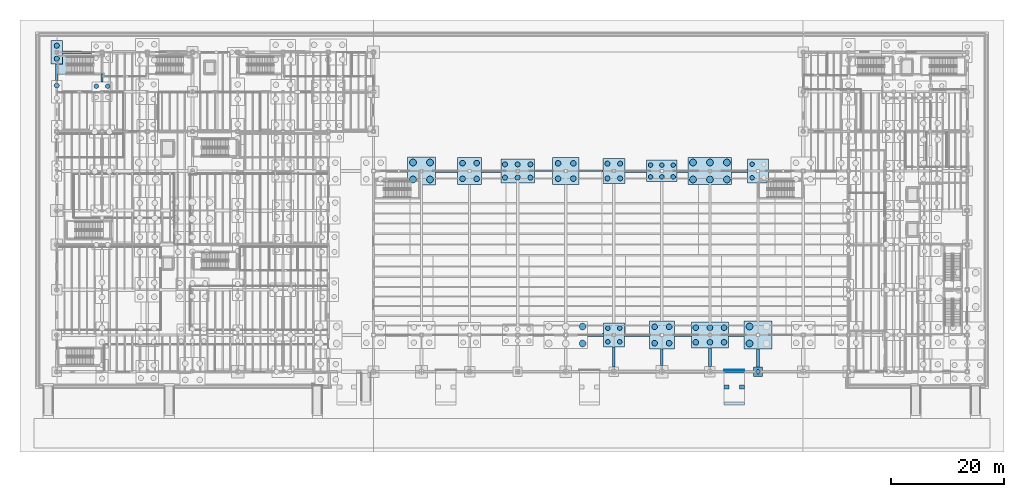
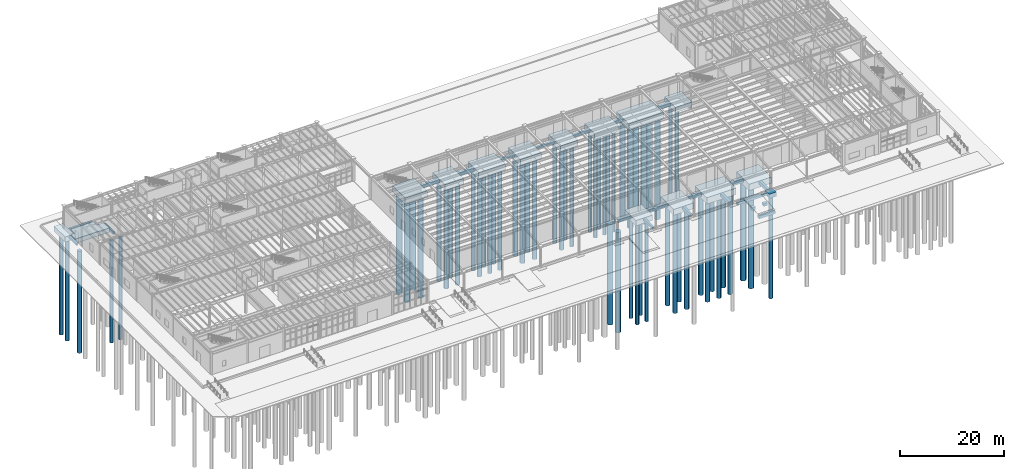
# One storey, part 6 of 86: 60 piles, 38 footings.
"""IFC4 building model written with IfcOpenShell, lengths in metres."""

from ifc_helpers import new_model, si_unit, direction, frame, origin, origin_2d, place, context, subcontext, project, spatial, polyline, rectangle, circle, outline, extrude, material, material_profile, profile_set, type_object, element, save


model = new_model("IFC4")

# Units and contexts
model_context = context("Model", 3, precision=1e-05, world=origin(), true_north=direction((0.0, 1.0)))
body_context = subcontext(model_context, "Body", "Model", "MODEL_VIEW")
ifc_project = project(units=[si_unit("LENGTHUNIT", "METRE"), si_unit("AREAUNIT", "SQUARE_METRE"), si_unit("VOLUMEUNIT", "CUBIC_METRE"), si_unit("PLANEANGLEUNIT", "RADIAN"), si_unit("MASSUNIT", "GRAM", prefix="KILO"), si_unit("THERMODYNAMICTEMPERATUREUNIT", "KELVIN"), si_unit("POWERUNIT", "WATT")], contexts=[model_context])

# Site, building, storey
site_placement = place(None, origin())
site = spatial("IfcSite", under=ifc_project, at=site_placement, CompositionType="ELEMENT")
building_placement = place(site_placement, origin())
building = spatial("IfcBuilding", under=site, at=building_placement, Name="Zhenchuan Central Fire Station", CompositionType="ELEMENT")
storey_placement = place(building_placement, frame((0.0, 0.0, 0.449951171875)))
storey = spatial("IfcBuildingStorey", under=building, at=storey_placement, Name="L01", CompositionType="ELEMENT", Elevation=0.449951171875)

# Footings
ifc_material_1 = material(Name="Concrete C35/45", Category="concrete")
footing_type_1 = type_object("IfcFootingType", Name="FB-380x550", PredefinedType="FOOTING_BEAM", material=ifc_material_1)
footing_1_placement = place(storey_placement, frame((0.0, 0.0, -1.0)))
element("IfcFooting", 1, at=footing_1_placement, inside=storey, type_object=footing_type_1, Name="Foundation Tie Beam FB-X-015", PredefinedType="FOOTING_BEAM", context=body_context, shape_type="SweptSolid", body=[
    extrude(outline(polyline([(116.425048828125, -0.18994140625), (123.199951171875, -0.18994140625), (123.199951171875, 0.18994140625), (116.425048828125, 0.18994140625), (116.425048828125, -0.18994140625)])), origin(), (0.0, 0.0, 1.0), 0.550048828125),
])
footing_2_placement = place(storey_placement, frame((0.0, 0.0, -1.0)))
element("IfcFooting", 2, at=footing_2_placement, inside=storey, type_object=footing_type_1, Name="Foundation Tie Beam FB-X-078", PredefinedType="FOOTING_BEAM", context=body_context, shape_type="SweptSolid", body=[
    extrude(outline(polyline([(84.449951171875, 35.31005859375), (87.64990234375, 35.31005859375), (87.64990234375, 35.68994140625), (84.449951171875, 35.68994140625), (84.449951171875, 35.31005859375)])), origin(), (0.0, 0.0, 1.0), 0.550048828125),
])
footing_3_placement = place(storey_placement, frame((0.0, 0.0, -1.0)))
element("IfcFooting", 3, at=footing_3_placement, inside=storey, type_object=footing_type_1, Name="Foundation Tie Beam FB-Y-127", PredefinedType="FOOTING_BEAM", context=body_context, shape_type="SweptSolid", body=[
    extrude(outline(polyline([(-0.18994140625, 51.5), (0.18994140625, 51.5), (0.18994140625, 54.39990234375), (-0.18994140625, 54.39990234375), (-0.18994140625, 51.5)])), origin(), (0.0, 0.0, 1.0), 0.550048828125),
])
footing_type_2 = type_object("IfcFootingType", Name="FB-400x600", PredefinedType="FOOTING_BEAM", material=ifc_material_1)
footing_4_placement = place(storey_placement, frame((0.0, 0.0, -1.050048828125)))
element("IfcFooting", 4, at=footing_4_placement, inside=storey, type_object=footing_type_2, Name="Foundation Tie Beam FB-X-079", PredefinedType="FOOTING_BEAM", context=body_context, shape_type="SweptSolid", body=[
    extrude(outline(polyline([(92.35009765625, 35.300048828125), (96.550048828125, 35.300048828125), (96.550048828125, 35.699951171875), (92.35009765625, 35.699951171875), (92.35009765625, 35.300048828125)])), origin(), (0.0, 0.0, 1.0), 0.60009765625),
])
footing_5_placement = place(storey_placement, frame((0.0, 0.0, -1.050048828125)))
element("IfcFooting", 5, at=footing_5_placement, inside=storey, type_object=footing_type_2, Name="Foundation Tie Beam FB-Y-135", PredefinedType="FOOTING_BEAM", context=body_context, shape_type="SweptSolid", body=[
    extrude(outline(polyline([(7.800048828125, 51.25), (8.199951171875, 51.25), (8.199951171875, 54.64990234375), (7.800048828125, 54.64990234375), (7.800048828125, 51.25)])), origin(), (0.0, 0.0, 1.0), 0.60009765625),
])
footing_6_placement = place(storey_placement, frame((0.0, 0.0, -1.050048828125)))
element("IfcFooting", 6, at=footing_6_placement, inside=storey, type_object=footing_type_2, Name="Foundation Tie Beam FB-Y-184", PredefinedType="FOOTING_BEAM", context=body_context, shape_type="SweptSolid", body=[
    extrude(outline(polyline([(98.300048828125, 0.875), (98.699951171875, 0.875), (98.699951171875, 4.39990234375), (98.300048828125, 4.39990234375), (98.300048828125, 0.875)])), origin(), (0.0, 0.0, 1.0), 0.60009765625),
])
footing_type_3 = type_object("IfcFootingType", Name="FB-450x650", PredefinedType="FOOTING_BEAM", material=ifc_material_1)
footing_7_placement = place(storey_placement, frame((0.0, 0.0, -1.099853515625)))
element("IfcFooting", 7, at=footing_7_placement, inside=storey, type_object=footing_type_3, Name="Foundation Tie Beam FB-X-080", PredefinedType="FOOTING_BEAM", context=body_context, shape_type="SweptSolid", body=[
    extrude(outline(polyline([(100.449951171875, 35.27490234375), (104.300048828125, 35.27490234375), (104.300048828125, 35.72509765625), (100.449951171875, 35.72509765625), (100.449951171875, 35.27490234375)])), origin(), (0.0, 0.0, 1.0), 0.64990234375),
])
footing_8_placement = place(storey_placement, frame((0.0, 0.0, -1.099853515625)))
element("IfcFooting", 8, at=footing_8_placement, inside=storey, type_object=footing_type_3, Name="Foundation Tie Beam FB-Y-185", PredefinedType="FOOTING_BEAM", context=body_context, shape_type="SweptSolid", body=[
    extrude(outline(polyline([(106.77490234375, 1.074951171875), (107.22509765625, 1.074951171875), (107.22509765625, 4.0), (106.77490234375, 4.0), (106.77490234375, 1.074951171875)])), origin(), (0.0, 0.0, 1.0), 0.64990234375),
])
footing_type_4 = type_object("IfcFootingType", Name="FB-500x700", PredefinedType="FOOTING_BEAM", material=ifc_material_1)
footing_9_placement = place(storey_placement, frame((0.0, 0.0, -1.14990234375)))
element("IfcFooting", 9, at=footing_9_placement, inside=storey, type_object=footing_type_4, Name="Foundation Tie Beam FB-X-032", PredefinedType="FOOTING_BEAM", context=body_context, shape_type="SweptSolid", body=[
    extrude(outline(polyline([(93.85009765625, 6.25), (96.64990234375, 6.25), (96.64990234375, 6.75), (93.85009765625, 6.75), (93.85009765625, 6.25)])), origin(), (0.0, 0.0, 1.0), 0.699951171875),
])
footing_10_placement = place(storey_placement, frame((0.0, 0.0, -1.14990234375)))
element("IfcFooting", 10, at=footing_10_placement, inside=storey, type_object=footing_type_4, Name="Foundation Tie Beam FB-X-081", PredefinedType="FOOTING_BEAM", context=body_context, shape_type="SweptSolid", body=[
    extrude(outline(polyline([(109.699951171875, 35.25), (111.64990234375, 35.25), (111.64990234375, 35.75), (109.699951171875, 35.75), (109.699951171875, 35.25)])), origin(), (0.0, 0.0, 1.0), 0.699951171875),
])
footing_11_placement = place(storey_placement, frame((0.0, 0.0, -1.14990234375)))
element("IfcFooting", 11, at=footing_11_placement, inside=storey, type_object=footing_type_4, Name="Foundation Tie Beam FB-Y-186", PredefinedType="FOOTING_BEAM", context=body_context, shape_type="SweptSolid", body=[
    extrude(outline(polyline([(115.25, 0.925048828125), (115.75, 0.925048828125), (115.75, 4.199951171875), (115.25, 4.199951171875), (115.25, 0.925048828125)])), origin(), (0.0, 0.0, 1.0), 0.699951171875),
])
footing_type_5 = type_object("IfcFootingType", Name="FB-500x800", PredefinedType="FOOTING_BEAM", material=ifc_material_1)
footing_12_placement = place(storey_placement, frame((0.0, 0.0, -1.25)))
element("IfcFooting", 12, at=footing_12_placement, inside=storey, type_object=footing_type_5, Name="Foundation Tie Beam FB-X-033", PredefinedType="FOOTING_BEAM", context=body_context, shape_type="SweptSolid", body=[
    extrude(outline(polyline([(100.35009765625, 6.25), (104.800048828125, 6.25), (104.800048828125, 6.75), (100.35009765625, 6.75), (100.35009765625, 6.25)])), origin(), (0.0, 0.0, 1.0), 0.800048828125),
])
footing_13_placement = place(storey_placement, frame((0.0, 0.0, -1.25)))
element("IfcFooting", 13, at=footing_13_placement, inside=storey, type_object=footing_type_5, Name="Foundation Tie Beam FB-X-082", PredefinedType="FOOTING_BEAM", context=body_context, shape_type="SweptSolid", body=[
    extrude(outline(polyline([(119.35009765625, 35.25), (122.14990234375, 35.25), (122.14990234375, 35.75), (119.35009765625, 35.75), (119.35009765625, 35.25)])), origin(), (0.0, 0.0, 1.0), 0.800048828125),
])
footing_14_placement = place(storey_placement, frame((0.0, 0.0, -1.25)))
element("IfcFooting", 14, at=footing_14_placement, inside=storey, type_object=footing_type_5, Name="Foundation Tie Beam FB-X-110", PredefinedType="FOOTING_BEAM", context=body_context, shape_type="SweptSolid", body=[
    extrude(outline(polyline([(1.0, 56.25), (6.14990234375, 56.25), (6.14990234375, 56.75), (1.0, 56.75), (1.0, 56.25)])), origin(), (0.0, 0.0, 1.0), 0.800048828125),
])
footing_15_placement = place(storey_placement, frame((0.0, 0.0, -1.25)))
element("IfcFooting", 15, at=footing_15_placement, inside=storey, type_object=footing_type_5, Name="Foundation Tie Beam FB-Y-187", PredefinedType="FOOTING_BEAM", context=body_context, shape_type="SweptSolid", body=[
    extrude(outline(polyline([(123.75, 0.800048828125), (124.25, 0.800048828125), (124.25, 4.050048828125), (123.75, 4.050048828125), (123.75, 0.800048828125)])), origin(), (0.0, 0.0, 1.0), 0.800048828125),
])
footing_type_6 = type_object("IfcFootingType", Name="FB-550x850", PredefinedType="FOOTING_BEAM", material=ifc_material_1)
footing_16_placement = place(storey_placement, frame((0.0, 0.0, -1.300048828125)))
element("IfcFooting", 16, at=footing_16_placement, inside=storey, type_object=footing_type_6, Name="Foundation Tie Beam FB-X-034", PredefinedType="FOOTING_BEAM", context=body_context, shape_type="SweptSolid", body=[
    extrude(outline(polyline([(109.199951171875, 6.22509765625), (112.25, 6.22509765625), (112.25, 6.77490234375), (109.199951171875, 6.77490234375), (109.199951171875, 6.22509765625)])), origin(), (0.0, 0.0, 1.0), 0.85009765625),
])
footing_17_placement = place(storey_placement, frame((0.0, 0.0, -1.300048828125)))
element("IfcFooting", 17, at=footing_17_placement, inside=storey, type_object=footing_type_6, Name="Foundation Tie Beam FB-X-076", PredefinedType="FOOTING_BEAM", context=body_context, shape_type="SweptSolid", body=[
    extrude(outline(polyline([(66.949951171875, 35.22509765625), (70.89990234375, 35.22509765625), (70.89990234375, 35.77490234375), (66.949951171875, 35.77490234375), (66.949951171875, 35.22509765625)])), origin(), (0.0, 0.0, 1.0), 0.85009765625),
])
footing_type_7 = type_object("IfcFootingType", Name="FB-600x900", PredefinedType="FOOTING_BEAM", material=ifc_material_1)
footing_18_placement = place(storey_placement, frame((0.0, 0.0, -1.349853515625)))
element("IfcFooting", 18, at=footing_18_placement, inside=storey, type_object=footing_type_7, Name="Foundation Tie Beam FB-X-035", PredefinedType="FOOTING_BEAM", context=body_context, shape_type="SweptSolid", body=[
    extrude(outline(polyline([(118.75, 6.199951171875), (121.550048828125, 6.199951171875), (121.550048828125, 6.800048828125), (118.75, 6.800048828125), (118.75, 6.199951171875)])), origin(), (0.0, 0.0, 1.0), 0.89990234375),
])
footing_19_placement = place(storey_placement, frame((0.0, 0.0, -1.349853515625)))
element("IfcFooting", 19, at=footing_19_placement, inside=storey, type_object=footing_type_7, Name="Foundation Tie Beam FB-X-077", PredefinedType="FOOTING_BEAM", context=body_context, shape_type="SweptSolid", body=[
    extrude(outline(polyline([(75.10009765625, 35.199951171875), (78.550048828125, 35.199951171875), (78.550048828125, 35.800048828125), (75.10009765625, 35.800048828125), (75.10009765625, 35.199951171875)])), origin(), (0.0, 0.0, 1.0), 0.89990234375),
])
ifc_material_2 = material(Name="Concrete C40/50", Category="concrete")
footing_type_8 = type_object("IfcFootingType", Name="PAD-CORE", PredefinedType="PAD_FOOTING", material=ifc_material_2)
footing_20_placement = place(storey_placement, frame((0.0, 0.0, -1.300048828125)))
element("IfcFooting", 20, at=footing_20_placement, inside=storey, type_object=footing_type_8, Name="ST-05 Core Foundation Mat Footing", PredefinedType="PAD_FOOTING", context=body_context, shape_type="SweptSolid", body=[
    extrude(outline(polyline([(6.110107421875, 55.925048828125), (6.110107421875, 54.610107421875), (7.760009765625, 54.610107421875), (7.760009765625, 52.574951171875), (0.22998046875, 52.574951171875), (0.22998046875, 54.360107421875), (1.0400390625, 54.360107421875), (1.0400390625, 55.925048828125), (6.110107421875, 55.925048828125)])), origin(), (0.0, 0.0, 1.0), 1.050048828125),
])
footing_type_9 = type_object("IfcFootingType", Name="PAD-RMP", PredefinedType="PAD_FOOTING", material=ifc_material_1)
footing_21_placement = place(storey_placement, frame((119.800048828125, -5.610107421875, -1.31005859375), z_axis=(0.0, 0.0, 1.0), x_axis=(1.0, 0.0, 0.0)))
element("IfcFooting", 21, at=footing_21_placement, inside=storey, type_object=footing_type_9, Name="Appliance Apron Vehicle Ramp East Toe Pad Footing", PredefinedType="PAD_FOOTING", context=body_context, shape_type="SweptSolid", body=[
    extrude(rectangle(XDim=3.60009765625, YDim=0.580078125, at=origin_2d()), origin(), (0.0, 0.0, 1.0), 0.60009765625),
])
footing_22_placement = place(storey_placement, frame((0.0, 0.0, -0.849853515625)))
element("IfcFooting", 22, at=footing_22_placement, inside=storey, type_object=footing_type_9, Name="Appliance Apron Vehicle Ramp East Head Pedestal Footing", PredefinedType="PAD_FOOTING", context=body_context, shape_type="SweptSolid", body=[
    extrude(outline(polyline([(118.0, 0.320068359375), (121.60009765625, 0.320068359375), (121.60009765625, 0.219970703125), (118.0, 0.219970703125), (118.0, 0.320068359375)])), origin(), (0.0, 0.0, 1.0), 0.596923828125),
])
for number, where, z_axis, x_axis, name in (
    (23, (118.449951171875, -2.688720703125, -1.099853515625), (0.0, 0.0, 1.0), (1.0, 0.0, 0.0), "Appliance Apron Vehicle Ramp East Mid Support Pad L"),
    (24, (121.14990234375, -2.688720703125, -1.099853515625), (0.0, 0.0, 1.0), (1.0, 0.0, 0.0), "Appliance Apron Vehicle Ramp East Mid Support Pad R"),
):
    element("IfcFooting", number, at=place(storey_placement, frame(where, z_axis=z_axis, x_axis=x_axis)), inside=storey, type_object=footing_type_9, Name=name, PredefinedType="PAD_FOOTING", context=body_context, shape_type="SweptSolid", body=[
        extrude(rectangle(XDim=0.85009765625, YDim=0.64990234375, at=origin_2d()), origin(), (0.0, 0.0, 1.0), 0.623046875),
    ])
footing_type_10 = type_object("IfcFootingType", Name="PC-01", PredefinedType="PILE_CAP", material=ifc_material_2)
footing_23_placement = place(storey_placement, frame((124.0, 0.0, -1.449951171875), z_axis=(0.0, 0.0, 1.0), x_axis=(1.0, 0.0, 0.0)))
element("IfcFooting", 25, at=footing_23_placement, inside=storey, type_object=footing_type_10, Name="Pile Cap PC-01 at (124.0,0.0)", PredefinedType="PILE_CAP", context=body_context, shape_type="SweptSolid", body=[
    extrude(rectangle(XDim=1.60009765625, YDim=1.60009765625, at=origin_2d()), origin(), (0.0, 0.0, 1.0), 1.0),
])
footing_type_11 = type_object("IfcFootingType", Name="PC-09", PredefinedType="PILE_CAP", material=ifc_material_2)
footing_24_placement = place(storey_placement, frame((0.0, 56.5, -1.64990234375), z_axis=(0.0, 0.0, 1.0), x_axis=(1.0, 0.0, 0.0)))
element("IfcFooting", 26, at=footing_24_placement, inside=storey, type_object=footing_type_11, Name="Pile Cap PC-09 at (0.0,56.5)", PredefinedType="PILE_CAP", context=body_context, shape_type="SweptSolid", body=[
    extrude(rectangle(XDim=2.0, YDim=4.199951171875, at=origin_2d()), origin(), (0.0, 0.0, 1.0), 1.199951171875),
])
footing_type_12 = type_object("IfcFootingType", Name="PC-23", PredefinedType="PILE_CAP", material=ifc_material_2)
footing_25_placement = place(storey_placement, frame((90.0, 35.5, -1.89990234375), z_axis=(0.0, 0.0, 1.0), x_axis=(1.0, 0.0, 0.0)))
element("IfcFooting", 27, at=footing_25_placement, inside=storey, type_object=footing_type_12, Name="Pile Cap PC-23 at (90.0,35.5)", PredefinedType="PILE_CAP", context=body_context, shape_type="SweptSolid", body=[
    extrude(rectangle(XDim=4.699951171875, YDim=4.699951171875, at=origin_2d()), origin(), (0.0, 0.0, 1.0), 1.449951171875),
])
footing_type_13 = type_object("IfcFootingType", Name="PC-24", PredefinedType="PILE_CAP", material=ifc_material_2)
for number, where, z_axis, x_axis, name in (
    (28, (64.5, 35.5, -1.949951171875), (0.0, 0.0, 1.0), (1.0, 0.0, 0.0), "Pile Cap PC-24 at (64.5,35.5)"),
    (29, (124.0, 6.5, -1.949951171875), (0.0, 0.0, 1.0), (1.0, 0.0, 0.0), "Pile Cap PC-24 at (124.0,6.5)"),
):
    element("IfcFooting", number, at=place(storey_placement, frame(where, z_axis=z_axis, x_axis=x_axis)), inside=storey, type_object=footing_type_13, Name=name, PredefinedType="PILE_CAP", context=body_context, shape_type="SweptSolid", body=[
        extrude(rectangle(XDim=4.89990234375, YDim=4.89990234375, at=origin_2d()), origin(), (0.0, 0.0, 1.0), 1.5),
    ])
footing_type_14 = type_object("IfcFootingType", Name="PC-25", PredefinedType="PILE_CAP", material=ifc_material_2)
for number, where, z_axis, x_axis, name in (
    (30, (98.5, 6.5, -1.699951171875), (0.0, 0.0, 1.0), (1.0, 0.0, 0.0), "Pile Cap PC-25 at (98.5,6.5)"),
    (31, (124.0, 35.5, -1.699951171875), (0.0, 0.0, 1.0), (1.0, 0.0, 0.0), "Pile Cap PC-25 at (124.0,35.5)"),
):
    element("IfcFooting", number, at=place(storey_placement, frame(where, z_axis=z_axis, x_axis=x_axis)), inside=storey, type_object=footing_type_14, Name=name, PredefinedType="PILE_CAP", context=body_context, shape_type="SweptSolid", body=[
        extrude(rectangle(XDim=3.699951171875, YDim=4.199951171875, at=origin_2d()), origin(), (0.0, 0.0, 1.0), 1.25),
    ])
footing_type_15 = type_object("IfcFootingType", Name="PC-26", PredefinedType="PILE_CAP", material=ifc_material_2)
footing_26_placement = place(storey_placement, frame((98.5, 35.5, -1.75), z_axis=(0.0, 0.0, 1.0), x_axis=(1.0, 0.0, 0.0)))
element("IfcFooting", 32, at=footing_26_placement, inside=storey, type_object=footing_type_15, Name="Pile Cap PC-26 at (98.5,35.5)", PredefinedType="PILE_CAP", context=body_context, shape_type="SweptSolid", body=[
    extrude(rectangle(XDim=3.89990234375, YDim=4.5, at=origin_2d()), origin(), (0.0, 0.0, 1.0), 1.300048828125),
])
footing_type_16 = type_object("IfcFootingType", Name="PC-27", PredefinedType="PILE_CAP", material=ifc_material_2)
footing_27_placement = place(storey_placement, frame((73.0, 35.5, -1.800048828125), z_axis=(0.0, 0.0, 1.0), x_axis=(1.0, 0.0, 0.0)))
element("IfcFooting", 33, at=footing_27_placement, inside=storey, type_object=footing_type_16, Name="Pile Cap PC-27 at (73.0,35.5)", PredefinedType="PILE_CAP", context=body_context, shape_type="SweptSolid", body=[
    extrude(rectangle(XDim=4.199951171875, YDim=4.800048828125, at=origin_2d()), origin(), (0.0, 0.0, 1.0), 1.35009765625),
])
footing_type_17 = type_object("IfcFootingType", Name="PC-28", PredefinedType="PILE_CAP", material=ifc_material_2)
footing_28_placement = place(storey_placement, frame((107.0, 6.5, -1.829833984375), z_axis=(0.0, 0.0, 1.0), x_axis=(1.0, 0.0, 0.0)))
element("IfcFooting", 34, at=footing_28_placement, inside=storey, type_object=footing_type_17, Name="Pile Cap PC-28 at (107.0,6.5)", PredefinedType="PILE_CAP", context=body_context, shape_type="SweptSolid", body=[
    extrude(rectangle(XDim=4.39990234375, YDim=5.0, at=origin_2d()), origin(), (0.0, 0.0, 1.0), 1.3798828125),
])
footing_type_18 = type_object("IfcFootingType", Name="PC-29", PredefinedType="PILE_CAP", material=ifc_material_2)
footing_29_placement = place(storey_placement, frame((107.0, 35.5, -1.849853515625), z_axis=(0.0, 0.0, 1.0), x_axis=(1.0, 0.0, 0.0)))
element("IfcFooting", 35, at=footing_29_placement, inside=storey, type_object=footing_type_18, Name="Pile Cap PC-29 at (107.0,35.5)", PredefinedType="PILE_CAP", context=body_context, shape_type="SweptSolid", body=[
    extrude(rectangle(XDim=5.39990234375, YDim=3.800048828125, at=origin_2d()), origin(), (0.0, 0.0, 1.0), 1.39990234375),
])
footing_type_19 = type_object("IfcFootingType", Name="PC-30", PredefinedType="PILE_CAP", material=ifc_material_2)
footing_30_placement = place(storey_placement, frame((81.5, 35.5, -1.89990234375), z_axis=(0.0, 0.0, 1.0), x_axis=(1.0, 0.0, 0.0)))
element("IfcFooting", 36, at=footing_30_placement, inside=storey, type_object=footing_type_19, Name="Pile Cap PC-30 at (81.5,35.5)", PredefinedType="PILE_CAP", context=body_context, shape_type="SweptSolid", body=[
    extrude(rectangle(XDim=5.89990234375, YDim=4.199951171875, at=origin_2d()), origin(), (0.0, 0.0, 1.0), 1.449951171875),
])
footing_type_20 = type_object("IfcFootingType", Name="PC-31", PredefinedType="PILE_CAP", material=ifc_material_2)
footing_31_placement = place(storey_placement, frame((115.5, 6.5, -1.949951171875), z_axis=(0.0, 0.0, 1.0), x_axis=(1.0, 0.0, 0.0)))
element("IfcFooting", 37, at=footing_31_placement, inside=storey, type_object=footing_type_20, Name="Pile Cap PC-31 at (115.5,6.5)", PredefinedType="PILE_CAP", context=body_context, shape_type="SweptSolid", body=[
    extrude(rectangle(XDim=6.5, YDim=4.60009765625, at=origin_2d()), origin(), (0.0, 0.0, 1.0), 1.5),
])
footing_type_21 = type_object("IfcFootingType", Name="PC-32", PredefinedType="PILE_CAP", material=ifc_material_2)
footing_32_placement = place(storey_placement, frame((115.5, 35.5, -2.0), z_axis=(0.0, 0.0, 1.0), x_axis=(1.0, 0.0, 0.0)))
element("IfcFooting", 38, at=footing_32_placement, inside=storey, type_object=footing_type_21, Name="Pile Cap PC-32 at (115.5,35.5)", PredefinedType="PILE_CAP", context=body_context, shape_type="SweptSolid", body=[
    extrude(rectangle(XDim=7.699951171875, YDim=4.800048828125, at=origin_2d()), origin(), (0.0, 0.0, 1.0), 1.550048828125),
])

# Piles
ifc_material_profile_1 = material_profile(ifc_material_1, circle(Radius=0.5, at=origin_2d()), Name="PILE D1000")
ifc_profile_set_1 = profile_set([ifc_material_profile_1], Name="Concrete C35/45")
pile_type_1 = type_object("IfcPileType", Name="PILE-D1000", PredefinedType="BORED", material=ifc_profile_set_1)
for number, where, z_axis, x_axis, name in (
    (39, (71.75, 34.10009765625, -1.699951171875), (0.0, 0.0, -1.0), (1.0, 0.0, 0.0), "Bored Pile 075-1"),
    (40, (74.25, 34.10009765625, -1.699951171875), (0.0, 0.0, -1.0), (1.0, 0.0, 0.0), "Bored Pile 075-2"),
    (41, (71.75, 36.89990234375, -1.699951171875), (0.0, 0.0, -1.0), (1.0, 0.0, 0.0), "Bored Pile 075-3"),
    (42, (74.25, 36.89990234375, -1.699951171875), (0.0, 0.0, -1.0), (1.0, 0.0, 0.0), "Bored Pile 075-4"),
):
    element("IfcPile", number, at=place(storey_placement, frame(where, z_axis=z_axis, x_axis=x_axis)), inside=storey, type_object=pile_type_1, Name=name, PredefinedType="BORED", context=body_context, shape_type="SweptSolid", body=[
        extrude(circle(Radius=0.5, at=origin_2d()), origin(), (0.0, 0.0, 1.0), 23.75),
    ])
for number, where, z_axis, x_axis, name in (
    (43, (88.64990234375, 34.14990234375, -1.800048828125), (0.0, 0.0, -1.0), (1.0, 0.0, 0.0), "Bored Pile 081-1"),
    (44, (91.35009765625, 34.14990234375, -1.800048828125), (0.0, 0.0, -1.0), (1.0, 0.0, 0.0), "Bored Pile 081-2"),
    (45, (88.64990234375, 36.85009765625, -1.800048828125), (0.0, 0.0, -1.0), (1.0, 0.0, 0.0), "Bored Pile 081-3"),
    (46, (91.35009765625, 36.85009765625, -1.800048828125), (0.0, 0.0, -1.0), (1.0, 0.0, 0.0), "Bored Pile 081-4"),
):
    element("IfcPile", number, at=place(storey_placement, frame(where, z_axis=z_axis, x_axis=x_axis)), inside=storey, type_object=pile_type_1, Name=name, PredefinedType="BORED", context=body_context, shape_type="SweptSolid", body=[
        extrude(circle(Radius=0.5, at=origin_2d()), origin(), (0.0, 0.0, 1.0), 23.64990234375),
    ])
for number, where, z_axis, x_axis, name in (
    (47, (105.719970703125, 5.050048828125, -1.72998046875), (0.0, 0.0, -1.0), (1.0, 0.0, 0.0), "Bored Pile 086-1"),
    (48, (108.280029296875, 5.050048828125, -1.72998046875), (0.0, 0.0, -1.0), (1.0, 0.0, 0.0), "Bored Pile 086-2"),
    (49, (105.719970703125, 7.949951171875, -1.72998046875), (0.0, 0.0, -1.0), (1.0, 0.0, 0.0), "Bored Pile 086-3"),
    (50, (108.280029296875, 7.949951171875, -1.72998046875), (0.0, 0.0, -1.0), (1.0, 0.0, 0.0), "Bored Pile 086-4"),
):
    element("IfcPile", number, at=place(storey_placement, frame(where, z_axis=z_axis, x_axis=x_axis)), inside=storey, type_object=pile_type_1, Name=name, PredefinedType="BORED", context=body_context, shape_type="SweptSolid", body=[
        extrude(circle(Radius=0.5, at=origin_2d()), origin(), (0.0, 0.0, 1.0), 23.719970703125),
    ])
for number, where, z_axis, x_axis, name in (
    (51, (113.0, 5.199951171875, -1.849853515625), (0.0, 0.0, -1.0), (1.0, 0.0, 0.0), "Bored Pile 089-1"),
    (52, (115.5, 5.199951171875, -1.849853515625), (0.0, 0.0, -1.0), (1.0, 0.0, 0.0), "Bored Pile 089-2"),
    (53, (118.0, 5.199951171875, -1.849853515625), (0.0, 0.0, -1.0), (1.0, 0.0, 0.0), "Bored Pile 089-3"),
    (54, (113.0, 7.800048828125, -1.849853515625), (0.0, 0.0, -1.0), (1.0, 0.0, 0.0), "Bored Pile 089-4"),
    (55, (115.5, 7.800048828125, -1.849853515625), (0.0, 0.0, -1.0), (1.0, 0.0, 0.0), "Bored Pile 089-5"),
    (56, (118.0, 7.800048828125, -1.849853515625), (0.0, 0.0, -1.0), (1.0, 0.0, 0.0), "Bored Pile 089-6"),
):
    element("IfcPile", number, at=place(storey_placement, frame(where, z_axis=z_axis, x_axis=x_axis)), inside=storey, type_object=pile_type_1, Name=name, PredefinedType="BORED", context=body_context, shape_type="SweptSolid", body=[
        extrude(circle(Radius=0.5, at=origin_2d()), origin(), (0.0, 0.0, 1.0), 23.60009765625),
    ])
ifc_material_profile_2 = material_profile(ifc_material_1, circle(Radius=0.60009765625, at=origin_2d()), Name="PILE D1200")
ifc_profile_set_2 = profile_set([ifc_material_profile_2], Name="Concrete C35/45")
pile_type_2 = type_object("IfcPileType", Name="PILE-D1200", PredefinedType="BORED", material=ifc_profile_set_2)
for number, where, z_axis, x_axis, name in (
    (57, (63.0, 34.0, -1.849853515625), (0.0, 0.0, -1.0), (1.0, 0.0, 0.0), "Bored Pile 072-1"),
    (58, (66.0, 34.0, -1.849853515625), (0.0, 0.0, -1.0), (1.0, 0.0, 0.0), "Bored Pile 072-2"),
    (59, (63.0, 37.0, -1.849853515625), (0.0, 0.0, -1.0), (1.0, 0.0, 0.0), "Bored Pile 072-3"),
    (60, (66.0, 37.0, -1.849853515625), (0.0, 0.0, -1.0), (1.0, 0.0, 0.0), "Bored Pile 072-4"),
):
    element("IfcPile", number, at=place(storey_placement, frame(where, z_axis=z_axis, x_axis=x_axis)), inside=storey, type_object=pile_type_2, Name=name, PredefinedType="BORED", context=body_context, shape_type="SweptSolid", body=[
        extrude(circle(Radius=0.60009765625, at=origin_2d()), origin(), (0.0, 0.0, 1.0), 23.60009765625),
    ])
for number, where, z_axis, x_axis, name in (
    (61, (93.0, 5.0, -1.89990234375), (0.0, 0.0, -1.0), (1.0, 0.0, 0.0), "Bored Pile 080-3"),
    (62, (93.0, 8.0, -1.89990234375), (0.0, 0.0, -1.0), (1.0, 0.0, 0.0), "Bored Pile 080-6"),
    (63, (112.5, 34.0, -1.89990234375), (0.0, 0.0, -1.0), (1.0, 0.0, 0.0), "Bored Pile 090-1"),
    (64, (115.5, 34.0, -1.89990234375), (0.0, 0.0, -1.0), (1.0, 0.0, 0.0), "Bored Pile 090-2"),
    (65, (118.5, 34.0, -1.89990234375), (0.0, 0.0, -1.0), (1.0, 0.0, 0.0), "Bored Pile 090-3"),
    (66, (112.5, 37.0, -1.89990234375), (0.0, 0.0, -1.0), (1.0, 0.0, 0.0), "Bored Pile 090-4"),
    (67, (115.5, 37.0, -1.89990234375), (0.0, 0.0, -1.0), (1.0, 0.0, 0.0), "Bored Pile 090-5"),
    (68, (118.5, 37.0, -1.89990234375), (0.0, 0.0, -1.0), (1.0, 0.0, 0.0), "Bored Pile 090-6"),
):
    element("IfcPile", number, at=place(storey_placement, frame(where, z_axis=z_axis, x_axis=x_axis)), inside=storey, type_object=pile_type_2, Name=name, PredefinedType="BORED", context=body_context, shape_type="SweptSolid", body=[
        extrude(circle(Radius=0.60009765625, at=origin_2d()), origin(), (0.0, 0.0, 1.0), 23.550048828125),
    ])
for number, where, z_axis, x_axis, name in (
    (69, (122.5, 5.0, -1.849853515625), (0.0, 0.0, -1.0), (1.0, 0.0, 0.0), "Bored Pile 092-1"),
    (70, (122.5, 8.0, -1.849853515625), (0.0, 0.0, -1.0), (1.0, 0.0, 0.0), "Bored Pile 092-3"),
):
    element("IfcPile", number, at=place(storey_placement, frame(where, z_axis=z_axis, x_axis=x_axis)), inside=storey, type_object=pile_type_2, Name=name, PredefinedType="BORED", context=body_context, shape_type="SweptSolid", body=[
        extrude(circle(Radius=0.60009765625, at=origin_2d()), origin(), (0.0, 0.0, 1.0), 23.60009765625),
    ])
ifc_material_profile_3 = material_profile(ifc_material_1, circle(Radius=0.39990234375, at=origin_2d()), Name="PILE D800")
ifc_profile_set_3 = profile_set([ifc_material_profile_3], Name="Concrete C35/45")
pile_type_3 = type_object("IfcPileType", Name="PILE-D800", PredefinedType="BORED", material=ifc_profile_set_3)
for number, where, z_axis, x_axis, name in (
    (71, (7.0, 50.5, -1.550048828125), (0.0, 0.0, -1.0), (1.0, 0.0, 0.0), "Bored Pile 017-3"),
    (72, (9.0, 50.5, -1.550048828125), (0.0, 0.0, -1.0), (1.0, 0.0, 0.0), "Bored Pile 017-4"),
):
    element("IfcPile", number, at=place(storey_placement, frame(where, z_axis=z_axis, x_axis=x_axis)), inside=storey, type_object=pile_type_3, Name=name, PredefinedType="BORED", context=body_context, shape_type="SweptSolid", body=[
        extrude(circle(Radius=0.39990234375, at=origin_2d()), origin(), (0.0, 0.0, 1.0), 23.89990234375),
    ])
for number, where, z_axis, x_axis, name in (
    (73, (97.449951171875, 5.300048828125, -1.599853515625), (0.0, 0.0, -1.0), (1.0, 0.0, 0.0), "Bored Pile 083-1"),
    (74, (99.550048828125, 5.300048828125, -1.599853515625), (0.0, 0.0, -1.0), (1.0, 0.0, 0.0), "Bored Pile 083-2"),
    (75, (97.449951171875, 7.699951171875, -1.599853515625), (0.0, 0.0, -1.0), (1.0, 0.0, 0.0), "Bored Pile 083-3"),
    (76, (99.550048828125, 7.699951171875, -1.599853515625), (0.0, 0.0, -1.0), (1.0, 0.0, 0.0), "Bored Pile 083-4"),
):
    element("IfcPile", number, at=place(storey_placement, frame(where, z_axis=z_axis, x_axis=x_axis)), inside=storey, type_object=pile_type_3, Name=name, PredefinedType="BORED", context=body_context, shape_type="SweptSolid", body=[
        extrude(circle(Radius=0.39990234375, at=origin_2d()), origin(), (0.0, 0.0, 1.0), 23.85009765625),
    ])
for number, where, z_axis, x_axis, name in (
    (77, (105.0, 34.449951171875, -1.75), (0.0, 0.0, -1.0), (1.0, 0.0, 0.0), "Bored Pile 087-1"),
    (78, (107.0, 34.449951171875, -1.75), (0.0, 0.0, -1.0), (1.0, 0.0, 0.0), "Bored Pile 087-2"),
    (79, (109.0, 34.449951171875, -1.75), (0.0, 0.0, -1.0), (1.0, 0.0, 0.0), "Bored Pile 087-3"),
    (80, (105.0, 36.550048828125, -1.75), (0.0, 0.0, -1.0), (1.0, 0.0, 0.0), "Bored Pile 087-4"),
    (81, (107.0, 36.550048828125, -1.75), (0.0, 0.0, -1.0), (1.0, 0.0, 0.0), "Bored Pile 087-5"),
    (82, (109.0, 36.550048828125, -1.75), (0.0, 0.0, -1.0), (1.0, 0.0, 0.0), "Bored Pile 087-6"),
):
    element("IfcPile", number, at=place(storey_placement, frame(where, z_axis=z_axis, x_axis=x_axis)), inside=storey, type_object=pile_type_3, Name=name, PredefinedType="BORED", context=body_context, shape_type="SweptSolid", body=[
        extrude(circle(Radius=0.39990234375, at=origin_2d()), origin(), (0.0, 0.0, 1.0), 23.699951171875),
    ])
pile_placement = place(storey_placement, frame((124.0, 0.0, -1.349853515625), z_axis=(0.0, 0.0, -1.0), x_axis=(1.0, 0.0, 0.0)))
element("IfcPile", 83, at=pile_placement, inside=storey, type_object=pile_type_3, Name="Bored Pile 091-1", PredefinedType="BORED", context=body_context, shape_type="SweptSolid", body=[
    extrude(circle(Radius=0.39990234375, at=origin_2d()), origin(), (0.0, 0.0, 1.0), 24.10009765625),
])
for number, where, z_axis, x_axis, name in (
    (84, (122.949951171875, 34.300048828125, -1.599853515625), (0.0, 0.0, -1.0), (1.0, 0.0, 0.0), "Bored Pile 093-1"),
    (85, (122.949951171875, 36.699951171875, -1.599853515625), (0.0, 0.0, -1.0), (1.0, 0.0, 0.0), "Bored Pile 093-3"),
):
    element("IfcPile", number, at=place(storey_placement, frame(where, z_axis=z_axis, x_axis=x_axis)), inside=storey, type_object=pile_type_3, Name=name, PredefinedType="BORED", context=body_context, shape_type="SweptSolid", body=[
        extrude(circle(Radius=0.39990234375, at=origin_2d()), origin(), (0.0, 0.0, 1.0), 23.85009765625),
    ])
ifc_material_profile_4 = material_profile(ifc_material_1, circle(Radius=0.449951171875, at=origin_2d()), Name="PILE D900")
ifc_profile_set_4 = profile_set([ifc_material_profile_4], Name="Concrete C35/45")
pile_type_4 = type_object("IfcPileType", Name="PILE-D900", PredefinedType="BORED", material=ifc_profile_set_4)
for number, where, z_axis, x_axis, name in (
    (86, (0.0, 50.625, -1.550048828125), (0.0, 0.0, -1.0), (1.0, 0.0, 0.0), "Bored Pile 008-2"),
    (87, (0.0, 55.35009765625, -1.550048828125), (0.0, 0.0, -1.0), (1.0, 0.0, 0.0), "Bored Pile 009-1"),
    (88, (0.0, 57.64990234375, -1.550048828125), (0.0, 0.0, -1.0), (1.0, 0.0, 0.0), "Bored Pile 009-2"),
):
    element("IfcPile", number, at=place(storey_placement, frame(where, z_axis=z_axis, x_axis=x_axis)), inside=storey, type_object=pile_type_4, Name=name, PredefinedType="BORED", context=body_context, shape_type="SweptSolid", body=[
        extrude(circle(Radius=0.449951171875, at=origin_2d()), origin(), (0.0, 0.0, 1.0), 23.89990234375),
    ])
for number, where, z_axis, x_axis, name in (
    (89, (79.25, 34.320068359375, -1.800048828125), (0.0, 0.0, -1.0), (1.0, 0.0, 0.0), "Bored Pile 078-1"),
    (90, (81.5, 34.320068359375, -1.800048828125), (0.0, 0.0, -1.0), (1.0, 0.0, 0.0), "Bored Pile 078-2"),
    (91, (83.75, 34.320068359375, -1.800048828125), (0.0, 0.0, -1.0), (1.0, 0.0, 0.0), "Bored Pile 078-3"),
    (92, (79.25, 36.679931640625, -1.800048828125), (0.0, 0.0, -1.0), (1.0, 0.0, 0.0), "Bored Pile 078-4"),
    (93, (81.5, 36.679931640625, -1.800048828125), (0.0, 0.0, -1.0), (1.0, 0.0, 0.0), "Bored Pile 078-5"),
    (94, (83.75, 36.679931640625, -1.800048828125), (0.0, 0.0, -1.0), (1.0, 0.0, 0.0), "Bored Pile 078-6"),
):
    element("IfcPile", number, at=place(storey_placement, frame(where, z_axis=z_axis, x_axis=x_axis)), inside=storey, type_object=pile_type_4, Name=name, PredefinedType="BORED", context=body_context, shape_type="SweptSolid", body=[
        extrude(circle(Radius=0.449951171875, at=origin_2d()), origin(), (0.0, 0.0, 1.0), 23.64990234375),
    ])
for number, where, z_axis, x_axis, name in (
    (95, (97.375, 34.199951171875, -1.64990234375), (0.0, 0.0, -1.0), (1.0, 0.0, 0.0), "Bored Pile 084-1"),
    (96, (99.625, 34.199951171875, -1.64990234375), (0.0, 0.0, -1.0), (1.0, 0.0, 0.0), "Bored Pile 084-2"),
    (97, (97.375, 36.800048828125, -1.64990234375), (0.0, 0.0, -1.0), (1.0, 0.0, 0.0), "Bored Pile 084-3"),
    (98, (99.625, 36.800048828125, -1.64990234375), (0.0, 0.0, -1.0), (1.0, 0.0, 0.0), "Bored Pile 084-4"),
):
    element("IfcPile", number, at=place(storey_placement, frame(where, z_axis=z_axis, x_axis=x_axis)), inside=storey, type_object=pile_type_4, Name=name, PredefinedType="BORED", context=body_context, shape_type="SweptSolid", body=[
        extrude(circle(Radius=0.449951171875, at=origin_2d()), origin(), (0.0, 0.0, 1.0), 23.800048828125),
    ])

save(model, "model.ifc")
